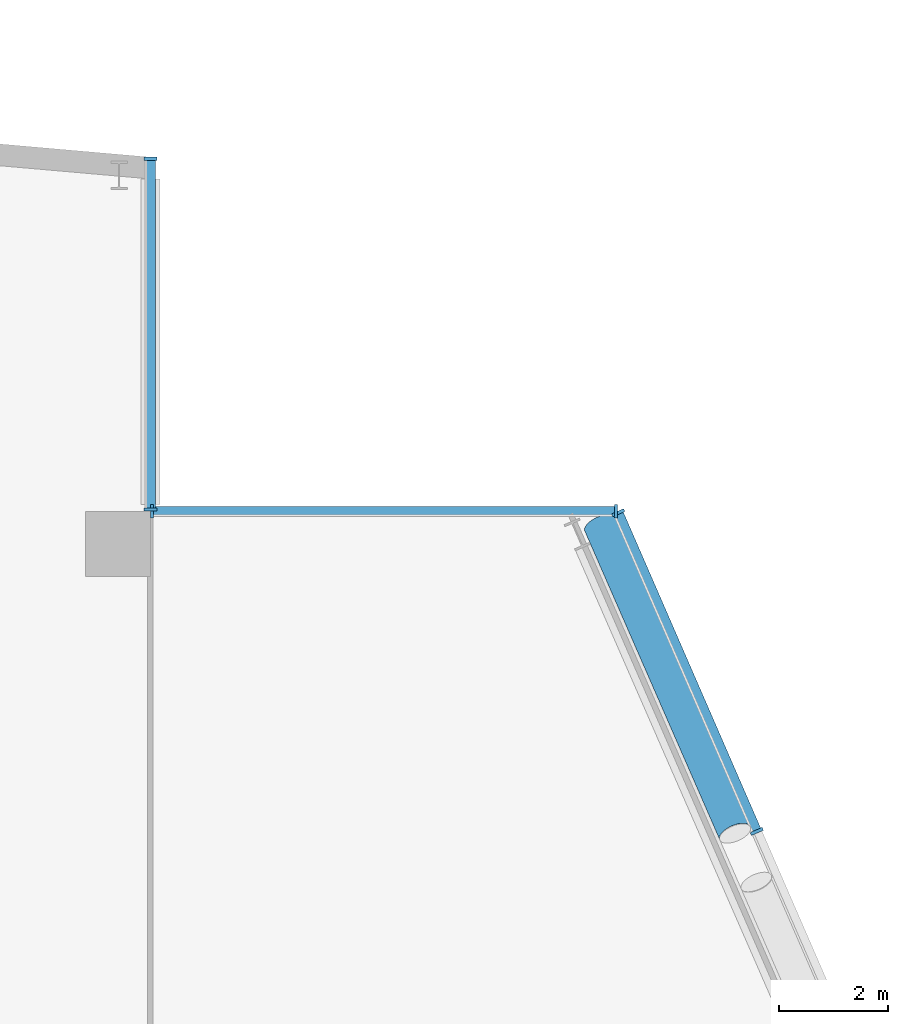
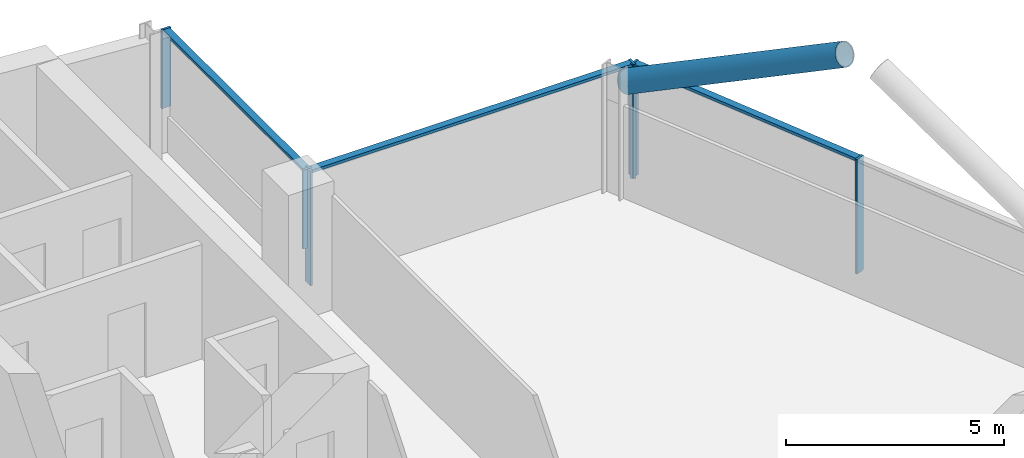
# One storey, part 11 of 26: 10 members, 3 elements without a shape of their own.
"""IFC4 building model written with IfcOpenShell, lengths in metres."""

from ifc_helpers import new_model, si_unit, direction, frame, origin, origin_2d, place, context, subcontext, project, spatial, rectangle, hollow_circle, extrude, material, material_profile, profile_set, type_object, element, aggregate, save


model = new_model("IFC4")

# Units and contexts
model_context = context("Model", 3, precision=1e-05, world=origin(), true_north=direction((0.0, 1.0)))
body_context = subcontext(model_context, "Body", "Model", "MODEL_VIEW")
ifc_project = project(units=[si_unit("LENGTHUNIT", "METRE"), si_unit("AREAUNIT", "SQUARE_METRE"), si_unit("VOLUMEUNIT", "CUBIC_METRE"), si_unit("PLANEANGLEUNIT", "RADIAN"), si_unit("MASSUNIT", "GRAM", prefix="KILO")], contexts=[model_context])

# Site, building, storey
site_placement = place(None, origin())
site = spatial("IfcSite", under=ifc_project, at=site_placement, CompositionType="ELEMENT")
building_placement = place(site_placement, origin())
building = spatial("IfcBuilding", under=site, at=building_placement, Name="Wharfspan Tower", CompositionType="ELEMENT")
storey_placement = place(building_placement, frame((0.0, 0.0, 217.899902)))
storey = spatial("IfcBuildingStorey", under=building, at=storey_placement, Name="L54", CompositionType="ELEMENT", Elevation=217.899902)

# Curtain wall, members
ifc_material_1 = material(Name="Aluminium 6063-T6", Category="aluminium")
curtain_wall_type = type_object("IfcCurtainWallType", Name="CURTAIN WALL PROW AND END", PredefinedType="NOTDEFINED", material=ifc_material_1)
curtain_wall_1_placement = place(storey_placement, origin())
curtain_wall_1 = element("IfcCurtainWall", 1, at=curtain_wall_1_placement, inside=storey, type_object=curtain_wall_type, Name="Curtain wall E", PredefinedType="NOTDEFINED")
ifc_material_profile_1 = material_profile(ifc_material_1, rectangle(XDim=0.23999, YDim=0.060059, at=origin_2d()))
ifc_profile_set_1 = profile_set([ifc_material_profile_1], Name="Aluminium 6063-T6")
member_type_1 = type_object("IfcMemberType", Name="MULLION PROW AND END 60x240", PredefinedType="MULLION", material=ifc_profile_set_1)
member_1_placement = place(storey_placement, frame((72.173828, 36.100098, 0.0), z_axis=(0.0, 0.0, 1.0), x_axis=(-0.917072, -0.398727, 0.0)))
member_1 = element("IfcMember", 2, at=member_1_placement, type_object=member_type_1, Name="Curtain wall E mullion 6", PredefinedType="MULLION", context=body_context, shape_type="SweptSolid", body=[
    extrude(rectangle(XDim=0.23999, YDim=0.060059, at=origin_2d()), origin(), (0.0, 0.0, 1.0), 3.200195),
])
member_2_placement = place(storey_placement, frame((69.620605, 41.972412, 0.0), z_axis=(0.0, 0.0, 1.0), x_axis=(-0.917072, -0.398727, 0.0)))
member_2 = element("IfcMember", 3, at=member_2_placement, type_object=member_type_1, Name="Curtain wall E mullion 7", PredefinedType="MULLION", context=body_context, shape_type="SweptSolid", body=[
    extrude(rectangle(XDim=0.23999, YDim=0.060059, at=origin_2d()), origin(), (0.0, 0.0, 1.0), 3.200195),
])

curtain_wall_2_placement = place(storey_placement, origin())
curtain_wall_2 = element("IfcCurtainWall", 4, at=curtain_wall_2_placement, inside=storey, type_object=curtain_wall_type, Name="Curtain wall NRE-H", PredefinedType="NOTDEFINED")
member_3_placement = place(storey_placement, frame((69.578613, 42.0, 0.0), z_axis=(0.0, 0.0, 1.0), x_axis=(0.0, -1.0, 0.0)))
member_3 = element("IfcMember", 5, at=member_3_placement, type_object=member_type_1, Name="Curtain wall NRE-H mullion 1", PredefinedType="MULLION", context=body_context, shape_type="SweptSolid", body=[
    extrude(rectangle(XDim=0.23999, YDim=0.060059, at=origin_2d()), origin(), (0.0, 0.0, 1.0), 3.200195),
])
member_4_placement = place(storey_placement, frame((61.030029, 42.0, 0.0), z_axis=(0.0, 0.0, 1.0), x_axis=(0.0, -1.0, 0.0)))
member_4 = element("IfcMember", 6, at=member_4_placement, type_object=member_type_1, Name="Curtain wall NRE-H mullion 2", PredefinedType="MULLION", context=body_context, shape_type="SweptSolid", body=[
    extrude(rectangle(XDim=0.23999, YDim=0.060059, at=origin_2d()), origin(), (0.0, 0.0, 1.0), 3.200195),
])

curtain_wall_3_placement = place(storey_placement, origin())
curtain_wall_3 = element("IfcCurtainWall", 7, at=curtain_wall_3_placement, inside=storey, type_object=curtain_wall_type, Name="Curtain wall NRE-V", PredefinedType="NOTDEFINED")
member_5_placement = place(storey_placement, frame((61.0, 42.030029, 1.0), z_axis=(0.0, 0.0, 1.0), x_axis=(-1.0, 0.0, 0.0)))
member_5 = element("IfcMember", 8, at=member_5_placement, type_object=member_type_1, Name="Curtain wall NRE-V mullion 1", PredefinedType="MULLION", context=body_context, shape_type="SweptSolid", body=[
    extrude(rectangle(XDim=0.23999, YDim=0.060059, at=origin_2d()), origin(), (0.0, 0.0, 1.0), 2.200195),
])
member_6_placement = place(storey_placement, frame((61.0, 48.494873, 1.0), z_axis=(0.0, 0.0, 1.0), x_axis=(-1.0, 0.0, 0.0)))
member_6 = element("IfcMember", 9, at=member_6_placement, type_object=member_type_1, Name="Curtain wall NRE-V mullion 2", PredefinedType="MULLION", context=body_context, shape_type="SweptSolid", body=[
    extrude(rectangle(XDim=0.23999, YDim=0.060059, at=origin_2d()), origin(), (0.0, 0.0, 1.0), 2.200195),
])

# Member
ifc_material_2 = material(Name="Steel S460NH", Category="steel")
ifc_material_profile_2 = material_profile(ifc_material_2, hollow_circle(Radius=0.304932, WallThickness=0.024902, at=origin_2d()))
ifc_profile_set_2 = profile_set([ifc_material_profile_2], Name="Steel S460NH")
member_type_2 = type_object("IfcMemberType", Name="Mega brace CHS 610x25", PredefinedType="BRACE", material=ifc_profile_set_2)
member_7_placement = place(storey_placement, frame((69.284424, 41.753662, 2.900146), z_axis=(0.352909, -0.807115, 0.473307), x_axis=(0.916238, 0.400621, -3e-06)))
element("IfcMember", 10, at=member_7_placement, inside=storey, type_object=member_type_2, Name="Mega brace E6 L55 part 3", PredefinedType="BRACE", context=body_context, shape_type="SweptSolid", body=[
    extrude(hollow_circle(Radius=0.304932, WallThickness=0.024902, at=origin_2d()), origin(), (0.0, 0.0, 1.0), 7.04248),
])

ifc_material_profile_3 = material_profile(ifc_material_1, rectangle(XDim=0.179932, YDim=0.080078, at=origin_2d()))
ifc_profile_set_3 = profile_set([ifc_material_profile_3], Name="Aluminium 6063-T6")
member_type_3 = type_object("IfcMemberType", Name="TRANSOM PROW AND END 80x180", PredefinedType="USERDEFINED", material=ifc_profile_set_3)
member_8_placement = place(storey_placement, frame((72.161865, 36.127441, 3.160156), z_axis=(-0.398712, 0.917076, 0.0), x_axis=(-0.917076, -0.398712, 0.0)))
member_8 = element("IfcMember", 11, at=member_8_placement, type_object=member_type_3, Name="Curtain wall E transom 6", ObjectType="TRANSOM", PredefinedType="USERDEFINED", context=body_context, shape_type="SweptSolid", body=[
    extrude(rectangle(XDim=0.179932, YDim=0.080078, at=origin_2d()), origin(), (0.0, 0.0, 1.0), 6.34375),
])

aggregate(curtain_wall_1, [member_1, member_2, member_8])

member_9_placement = place(storey_placement, frame((69.548584, 42.0, 3.160156), z_axis=(-1.0, 0.0, 0.0), x_axis=(0.0, -1.0, 0.0)))
member_9 = element("IfcMember", 12, at=member_9_placement, type_object=member_type_3, Name="Curtain wall NRE-H transom 1", ObjectType="TRANSOM", PredefinedType="USERDEFINED", context=body_context, shape_type="SweptSolid", body=[
    extrude(rectangle(XDim=0.179932, YDim=0.080078, at=origin_2d()), origin(), (0.0, 0.0, 1.0), 8.488525),
])

aggregate(curtain_wall_2, [member_3, member_4, member_9])

member_10_placement = place(storey_placement, frame((61.0, 42.060059, 3.160156), z_axis=(0.0, 1.0, 0.0), x_axis=(-1.0, 0.0, 0.0)))
member_10 = element("IfcMember", 13, at=member_10_placement, type_object=member_type_3, Name="Curtain wall NRE-V transom 1", ObjectType="TRANSOM", PredefinedType="USERDEFINED", context=body_context, shape_type="SweptSolid", body=[
    extrude(rectangle(XDim=0.179932, YDim=0.080078, at=origin_2d()), origin(), (0.0, 0.0, 1.0), 6.404785),
])

aggregate(curtain_wall_3, [member_5, member_6, member_10])

save(model, "model.ifc")
